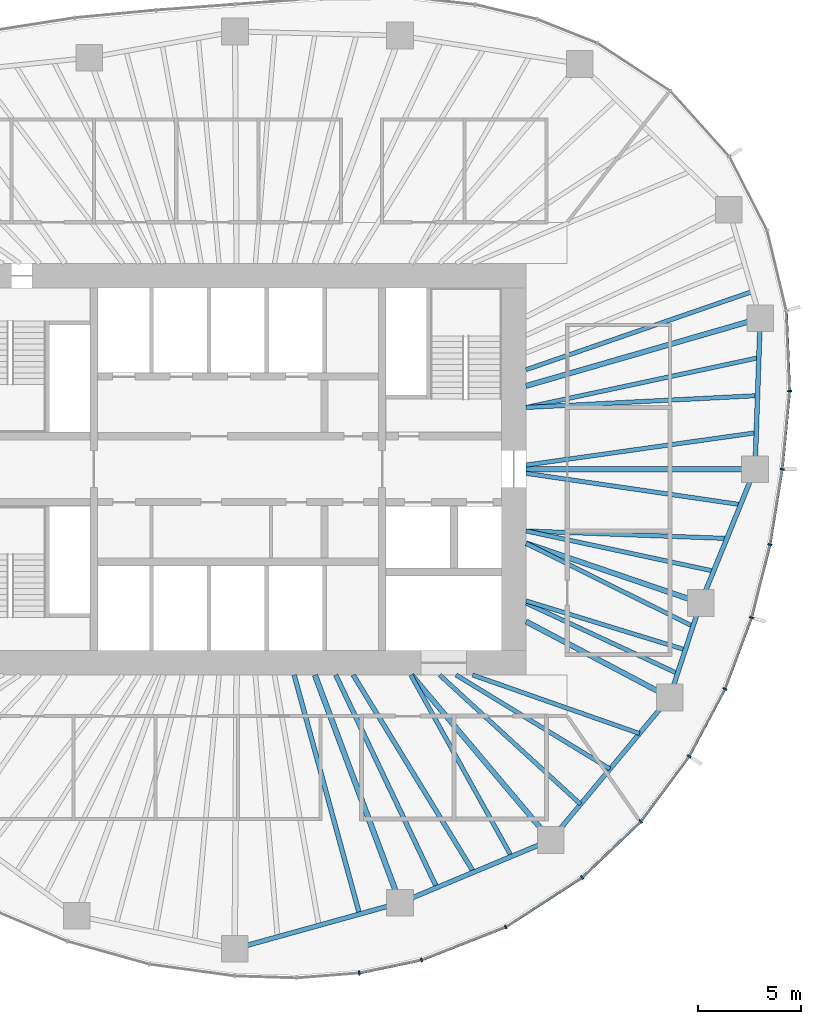
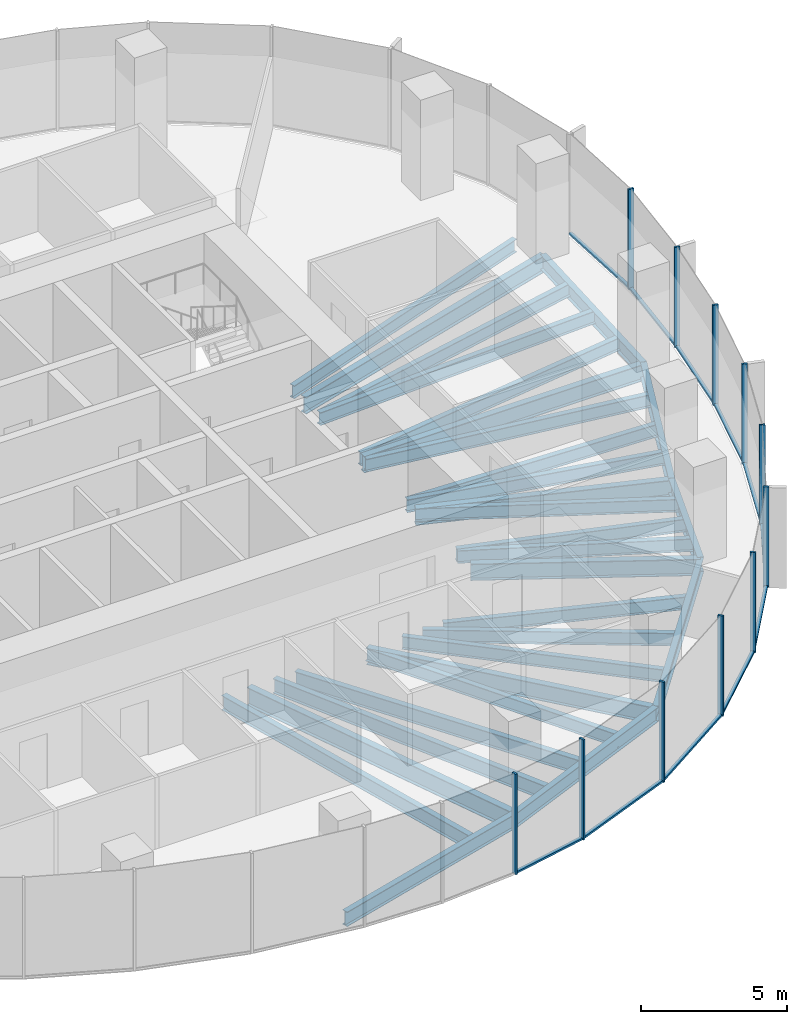
# One storey, part 4 of 12: 29 beams, 22 members, 6 elements without a shape of their own.
"""IFC4 building model written with IfcOpenShell, lengths in metres."""

from ifc_helpers import new_model, si_unit, direction, frame, origin, origin_2d, place, context, subcontext, project, spatial, rectangle, i_section, extrude, material, material_profile, profile_set, type_object, element, aggregate, save


model = new_model("IFC4")

# Units and contexts
model_context = context("Model", 3, precision=1e-05, world=origin(), true_north=direction((0.0, 1.0)))
body_context = subcontext(model_context, "Body", "Model", "MODEL_VIEW")
ifc_project = project(units=[si_unit("LENGTHUNIT", "METRE"), si_unit("AREAUNIT", "SQUARE_METRE"), si_unit("VOLUMEUNIT", "CUBIC_METRE"), si_unit("PLANEANGLEUNIT", "RADIAN"), si_unit("MASSUNIT", "GRAM", prefix="KILO")], contexts=[model_context])

# Site, building, storey
site_placement = place(None, origin())
site = spatial("IfcSite", under=ifc_project, at=site_placement, CompositionType="ELEMENT")
building_placement = place(site_placement, origin())
building = spatial("IfcBuilding", under=site, at=building_placement, Name="Ghaith Harvest Tower", CompositionType="ELEMENT")
storey_placement = place(building_placement, frame((0.0, 0.0, 203.199951171875)))
storey = spatial("IfcBuildingStorey", under=building, at=storey_placement, Name="L44", CompositionType="ELEMENT", Elevation=203.199951171875)

# Curtain wall, members
ifc_material_1 = material(Name="Black anodised aluminium and fritted glass", Category="aluminium")
curtain_wall_type = type_object("IfcCurtainWallType", Name="CW-H CURTAIN WALL", PredefinedType="NOTDEFINED", material=ifc_material_1)
curtain_wall_1_placement = place(storey_placement, origin())
curtain_wall_1 = element("IfcCurtainWall", 1, at=curtain_wall_1_placement, inside=storey, type_object=curtain_wall_type, Name="Curtain wall CW-H bay 01 L44", PredefinedType="NOTDEFINED")
ifc_material_2 = material(Name="Aluminium, black anodised", Category="aluminium")
ifc_material_profile_1 = material_profile(ifc_material_2, rectangle(XDim=0.080078125, YDim=0.199951171875, at=origin_2d()), Name="CW-H MULLION 80x200")
ifc_profile_set_1 = profile_set([ifc_material_profile_1], Name="Aluminium, black anodised")
member_type_1 = type_object("IfcMemberType", Name="CW-H MULLION 80x200", PredefinedType="MULLION", material=ifc_profile_set_1)
member_1_placement = place(storey_placement, frame((26.445068359375, 0.0, 0.0), z_axis=(0.0, 0.0, 1.0), x_axis=(0.126567624553, 0.991957981174, 0.0)))
member_1 = element("IfcMember", 2, at=member_1_placement, type_object=member_type_1, Name="CW-H mullion 1 bay 01 L44", PredefinedType="MULLION", context=body_context, shape_type="SweptSolid", body=[
    extrude(rectangle(XDim=0.080078125, YDim=0.199951171875, at=origin_2d()), origin(), (0.0, 0.0, 1.0), 4.199951171875),
])
member_2_placement = place(storey_placement, frame((26.804443359375, 3.7958984375, 0.0), z_axis=(0.0, 0.0, 1.0), x_axis=(0.026142797814, 0.999658218654, 0.0)))
member_2 = element("IfcMember", 3, at=member_2_placement, type_object=member_type_1, Name="CW-H mullion 2 bay 01 L44", PredefinedType="MULLION", context=body_context, shape_type="SweptSolid", body=[
    extrude(rectangle(XDim=0.080078125, YDim=0.199951171875, at=origin_2d()), origin(), (0.0, 0.0, 1.0), 4.199951171875),
])

# Curtain wall, member
curtain_wall_2_placement = place(storey_placement, origin())
curtain_wall_2 = element("IfcCurtainWall", 4, at=curtain_wall_2_placement, inside=storey, type_object=curtain_wall_type, Name="Curtain wall CW-H bay 16 L44", PredefinedType="NOTDEFINED")
member_3_placement = place(storey_placement, frame((5.893310546875, -24.48291015625, 0.0), z_axis=(0.0, 0.0, 1.0), x_axis=(0.989849191496, 0.142121701704, 0.0)))
member_3 = element("IfcMember", 5, at=member_3_placement, type_object=member_type_1, Name="CW-H mullion 3 bay 16 L44", PredefinedType="MULLION", context=body_context, shape_type="SweptSolid", body=[
    extrude(rectangle(XDim=0.080078125, YDim=0.199951171875, at=origin_2d()), origin(), (0.0, 0.0, 1.0), 4.199951171875),
])

# Curtain wall, members
curtain_wall_3_placement = place(storey_placement, origin())
curtain_wall_3 = element("IfcCurtainWall", 6, at=curtain_wall_3_placement, inside=storey, type_object=curtain_wall_type, Name="Curtain wall CW-H bay 17 L44", PredefinedType="NOTDEFINED")
member_4_placement = place(storey_placement, frame((8.916015625, -23.85009765625, 0.0), z_axis=(0.0, 0.0, 1.0), x_axis=(0.954029934434, 0.299711334793, 0.0)))
member_4 = element("IfcMember", 7, at=member_4_placement, type_object=member_type_1, Name="CW-H mullion 1 bay 17 L44", PredefinedType="MULLION", context=body_context, shape_type="SweptSolid", body=[
    extrude(rectangle(XDim=0.080078125, YDim=0.199951171875, at=origin_2d()), origin(), (0.0, 0.0, 1.0), 4.199951171875),
])
member_5_placement = place(storey_placement, frame((13.010009765625, -22.2470703125, 0.0), z_axis=(0.0, 0.0, 1.0), x_axis=(0.889568363425, 0.456802065225, 0.0)))
member_5 = element("IfcMember", 8, at=member_5_placement, type_object=member_type_1, Name="CW-H mullion 2 bay 17 L44", PredefinedType="MULLION", context=body_context, shape_type="SweptSolid", body=[
    extrude(rectangle(XDim=0.080078125, YDim=0.199951171875, at=origin_2d()), origin(), (0.0, 0.0, 1.0), 4.199951171875),
])

curtain_wall_4_placement = place(storey_placement, origin())
curtain_wall_4 = element("IfcCurtainWall", 9, at=curtain_wall_4_placement, inside=storey, type_object=curtain_wall_type, Name="Curtain wall CW-H bay 18 L44", PredefinedType="NOTDEFINED")
member_6_placement = place(storey_placement, frame((16.72900390625, -19.838134765625, 0.0), z_axis=(0.0, 0.0, 1.0), x_axis=(0.78784554071, 0.615872879727, 0.0)))
member_6 = element("IfcMember", 10, at=member_6_placement, type_object=member_type_1, Name="CW-H mullion 1 bay 18 L44", PredefinedType="MULLION", context=body_context, shape_type="SweptSolid", body=[
    extrude(rectangle(XDim=0.080078125, YDim=0.199951171875, at=origin_2d()), origin(), (0.0, 0.0, 1.0), 4.199951171875),
])
member_7_placement = place(storey_placement, frame((19.57421875, -17.11572265625, 0.0), z_axis=(0.0, 0.0, 1.0), x_axis=(0.661614965695, 0.749843741835, 0.0)))
member_7 = element("IfcMember", 11, at=member_7_placement, type_object=member_type_1, Name="CW-H mullion 2 bay 18 L44", PredefinedType="MULLION", context=body_context, shape_type="SweptSolid", body=[
    extrude(rectangle(XDim=0.080078125, YDim=0.199951171875, at=origin_2d()), origin(), (0.0, 0.0, 1.0), 4.199951171875),
])

curtain_wall_5_placement = place(storey_placement, origin())
curtain_wall_5 = element("IfcCurtainWall", 12, at=curtain_wall_5_placement, inside=storey, type_object=curtain_wall_type, Name="Curtain wall CW-H bay 19 L44", PredefinedType="NOTDEFINED")
member_8_placement = place(storey_placement, frame((21.922607421875, -13.951904296875, 0.0), z_axis=(0.0, 0.0, 1.0), x_axis=(0.535827198032, 0.844327669717, 0.0)))
member_8 = element("IfcMember", 13, at=member_8_placement, type_object=member_type_1, Name="CW-H mullion 1 bay 19 L44", PredefinedType="MULLION", context=body_context, shape_type="SweptSolid", body=[
    extrude(rectangle(XDim=0.080078125, YDim=0.199951171875, at=origin_2d()), origin(), (0.0, 0.0, 1.0), 4.199951171875),
])
member_9_placement = place(storey_placement, frame((23.658203125, -10.680419921875, 0.0), z_axis=(0.0, 0.0, 1.0), x_axis=(0.410429862351, 0.911892169114, 0.0)))
member_9 = element("IfcMember", 14, at=member_9_placement, type_object=member_type_1, Name="CW-H mullion 2 bay 19 L44", PredefinedType="MULLION", context=body_context, shape_type="SweptSolid", body=[
    extrude(rectangle(XDim=0.080078125, YDim=0.199951171875, at=origin_2d()), origin(), (0.0, 0.0, 1.0), 4.199951171875),
])

curtain_wall_6_placement = place(storey_placement, origin())
curtain_wall_6 = element("IfcCurtainWall", 15, at=curtain_wall_6_placement, inside=storey, type_object=curtain_wall_type, Name="Curtain wall CW-H bay 20 L44", PredefinedType="NOTDEFINED")
member_10_placement = place(storey_placement, frame((24.955810546875, -7.212890625, 0.0), z_axis=(0.0, 0.0, 1.0), x_axis=(0.298441625478, 0.954427889462, 0.0)))
member_10 = element("IfcMember", 16, at=member_10_placement, type_object=member_type_1, Name="CW-H mullion 1 bay 20 L44", PredefinedType="MULLION", context=body_context, shape_type="SweptSolid", body=[
    extrude(rectangle(XDim=0.080078125, YDim=0.199951171875, at=origin_2d()), origin(), (0.0, 0.0, 1.0), 4.199951171875),
])
member_11_placement = place(storey_placement, frame((25.85302734375, -3.6611328125, 0.0), z_axis=(0.0, 0.0, 1.0), x_axis=(0.202192370647, 0.979345825157, 0.0)))
member_11 = element("IfcMember", 17, at=member_11_placement, type_object=member_type_1, Name="CW-H mullion 2 bay 20 L44", PredefinedType="MULLION", context=body_context, shape_type="SweptSolid", body=[
    extrude(rectangle(XDim=0.080078125, YDim=0.199951171875, at=origin_2d()), origin(), (0.0, 0.0, 1.0), 4.199951171875),
])

# Member
ifc_material_3 = material(Name="Aluminium, black anodised", Category="aluminium")
ifc_material_profile_2 = material_profile(ifc_material_3, rectangle(XDim=0.1298828125, YDim=0.080078125, at=origin_2d()), Name="CW-H TRANSOM 130x80")
ifc_profile_set_2 = profile_set([ifc_material_profile_2], Name="Aluminium, black anodised")
member_type_2 = type_object("IfcMemberType", Name="CW-H TRANSOM 130x80", PredefinedType="USERDEFINED", material=ifc_profile_set_2)
member_12_placement = place(storey_placement, frame((26.44873046875, 0.039794921875, 0.0400390625), z_axis=(0.094309089207, 0.995542965267, 0.0), x_axis=(-0.995542965267, 0.094309089207, 0.0)))
member_12 = element("IfcMember", 18, at=member_12_placement, type_object=member_type_2, Name="CW-H transom 1 bay 01 L44", ObjectType="TRANSOM", PredefinedType="USERDEFINED", context=body_context, shape_type="SweptSolid", body=[
    extrude(rectangle(XDim=0.1298828125, YDim=0.080078125, at=origin_2d()), origin(), (0.0, 0.0, 1.0), 3.73291015625),
])

member_13_placement = place(storey_placement, frame((26.802978515625, 3.8359375, 0.0400390625), z_axis=(-0.040492641284, 0.999179836667, 0.0), x_axis=(-0.999179836667, -0.040492641284, 0.0)))
member_13 = element("IfcMember", 19, at=member_13_placement, type_object=member_type_2, Name="CW-H transom 2 bay 01 L44", ObjectType="TRANSOM", PredefinedType="USERDEFINED", context=body_context, shape_type="SweptSolid", body=[
    extrude(rectangle(XDim=0.1298828125, YDim=0.080078125, at=origin_2d()), origin(), (0.0, 0.0, 1.0), 3.82861328125),
])

aggregate(curtain_wall_1, [member_1, member_12, member_2, member_13])

member_14_placement = place(storey_placement, frame((5.932373046875, -24.474609375, 0.0400390625), z_axis=(0.978797058213, 0.204832416461, 0.0), x_axis=(-0.204832416461, 0.978797058213, 0.0)))
member_14 = element("IfcMember", 20, at=member_14_placement, type_object=member_type_2, Name="CW-H transom 3 bay 16 L44", ObjectType="TRANSOM", PredefinedType="USERDEFINED", context=body_context, shape_type="SweptSolid", body=[
    extrude(rectangle(XDim=0.1298828125, YDim=0.080078125, at=origin_2d()), origin(), (0.0, 0.0, 1.0), 3.00830078125),
])

aggregate(curtain_wall_2, [member_3, member_14])

member_15_placement = place(storey_placement, frame((8.953369140625, -23.835693359375, 0.0400390625), z_axis=(0.931147615871, 0.364642451529, 0.0), x_axis=(-0.364642451529, 0.931147615871, 0.0)))
member_15 = element("IfcMember", 21, at=member_15_placement, type_object=member_type_2, Name="CW-H transom 1 bay 17 L44", ObjectType="TRANSOM", PredefinedType="USERDEFINED", context=body_context, shape_type="SweptSolid", body=[
    extrude(rectangle(XDim=0.1298828125, YDim=0.080078125, at=origin_2d()), origin(), (0.0, 0.0, 1.0), 4.31640625),
])

member_16_placement = place(storey_placement, frame((13.04345703125, -22.225341796875, 0.0400390625), z_axis=(0.839306610985, 0.543658360331, 0.0), x_axis=(-0.543658360331, 0.839306610985, 0.0)))
member_16 = element("IfcMember", 22, at=member_16_placement, type_object=member_type_2, Name="CW-H transom 2 bay 17 L44", ObjectType="TRANSOM", PredefinedType="USERDEFINED", context=body_context, shape_type="SweptSolid", body=[
    extrude(rectangle(XDim=0.1298828125, YDim=0.080078125, at=origin_2d()), origin(), (0.0, 0.0, 1.0), 4.35107421875),
])

aggregate(curtain_wall_3, [member_4, member_15, member_5, member_16])

member_17_placement = place(storey_placement, frame((16.7578125, -19.810546875, 0.0400390625), z_axis=(0.722533278657, 0.691336141998, 0.0), x_axis=(-0.691336141998, 0.722533278657, 0.0)))
member_17 = element("IfcMember", 23, at=member_17_placement, type_object=member_type_2, Name="CW-H transom 1 bay 18 L44", ObjectType="TRANSOM", PredefinedType="USERDEFINED", context=body_context, shape_type="SweptSolid", body=[
    extrude(rectangle(XDim=0.1298828125, YDim=0.080078125, at=origin_2d()), origin(), (0.0, 0.0, 1.0), 3.858154296875),
])

member_18_placement = place(storey_placement, frame((19.59814453125, -17.083740234375, 0.0400390625), z_axis=(0.595995597074, 0.802987701194, 0.0), x_axis=(-0.802987701194, 0.595995597074, 0.0)))
member_18 = element("IfcMember", 24, at=member_18_placement, type_object=member_type_2, Name="CW-H transom 2 bay 18 L44", ObjectType="TRANSOM", PredefinedType="USERDEFINED", context=body_context, shape_type="SweptSolid", body=[
    extrude(rectangle(XDim=0.1298828125, YDim=0.080078125, at=origin_2d()), origin(), (0.0, 0.0, 1.0), 3.8603515625),
])

aggregate(curtain_wall_4, [member_6, member_17, member_7, member_18])

member_19_placement = place(storey_placement, frame((21.94140625, -13.91650390625, 0.0400390625), z_axis=(0.468646057757, 0.883386026915, 0.0), x_axis=(-0.883386026915, 0.468646057757, 0.0)))
member_19 = element("IfcMember", 25, at=member_19_placement, type_object=member_type_2, Name="CW-H transom 1 bay 19 L44", ObjectType="TRANSOM", PredefinedType="USERDEFINED", context=body_context, shape_type="SweptSolid", body=[
    extrude(rectangle(XDim=0.1298828125, YDim=0.080078125, at=origin_2d()), origin(), (0.0, 0.0, 1.0), 3.623291015625),
])

member_20_placement = place(storey_placement, frame((23.672119140625, -10.64306640625, 0.0400390625), z_axis=(0.350510368091, 0.936558851253, 0.0), x_axis=(-0.936558851253, 0.350510368091, 0.0)))
member_20 = element("IfcMember", 26, at=member_20_placement, type_object=member_type_2, Name="CW-H transom 2 bay 19 L44", ObjectType="TRANSOM", PredefinedType="USERDEFINED", context=body_context, shape_type="SweptSolid", body=[
    extrude(rectangle(XDim=0.1298828125, YDim=0.080078125, at=origin_2d()), origin(), (0.0, 0.0, 1.0), 3.62255859375),
])

aggregate(curtain_wall_5, [member_8, member_19, member_9, member_20])

member_21_placement = place(storey_placement, frame((24.965576171875, -7.174072265625, 0.0400390625), z_axis=(0.244939588347, 0.969538342749, 0.0), x_axis=(-0.969538342749, 0.244939588347, 0.0)))
member_21 = element("IfcMember", 27, at=member_21_placement, type_object=member_type_2, Name="CW-H transom 1 bay 20 L44", ObjectType="TRANSOM", PredefinedType="USERDEFINED", context=body_context, shape_type="SweptSolid", body=[
    extrude(rectangle(XDim=0.1298828125, YDim=0.080078125, at=origin_2d()), origin(), (0.0, 0.0, 1.0), 3.583251953125),
])

member_22_placement = place(storey_placement, frame((25.859375, -3.62158203125, 0.0400390625), z_axis=(0.159661845696, 0.987171765717, 0.0), x_axis=(-0.987171765717, 0.159661845696, 0.0)))
member_22 = element("IfcMember", 28, at=member_22_placement, type_object=member_type_2, Name="CW-H transom 2 bay 20 L44", ObjectType="TRANSOM", PredefinedType="USERDEFINED", context=body_context, shape_type="SweptSolid", body=[
    extrude(rectangle(XDim=0.1298828125, YDim=0.080078125, at=origin_2d()), origin(), (0.0, 0.0, 1.0), 3.628662109375),
])

aggregate(curtain_wall_6, [member_10, member_21, member_11, member_22])

# Beams
ifc_material_4 = material(Name="Steel ASTM A992 Grade 50", Category="steel")
ifc_material_profile_3 = material_profile(ifc_material_4, i_section(OverallWidth=0.22900390625, OverallDepth=0.612060546875, WebThickness=0.011962890625, FlangeThickness=0.01953125, at=origin_2d()), Name="W610X125")
ifc_profile_set_3 = profile_set([ifc_material_profile_3], Name="Steel ASTM A992 Grade 50")
beam_type_1 = type_object("IfcBeamType", Name="E610-125 W610X125", PredefinedType="SPANDREL", material=ifc_profile_set_3)
beam_1_placement = place(storey_placement, frame((25.125, 0.0, -0.475830078125), z_axis=(0.03446227584, 0.999405999354, 0.0), x_axis=(-0.999405999354, 0.03446227584, 0.0)))
element("IfcBeam", 29, at=beam_1_placement, inside=storey, type_object=beam_type_1, Name="Edge beam E01 L44", PredefinedType="SPANDREL", context=body_context, shape_type="SweptSolid", body=[
    extrude(i_section(OverallWidth=0.22900390625, OverallDepth=0.612060546875, WebThickness=0.011962890625, FlangeThickness=0.01953125, at=origin_2d()), origin(), (0.0, 0.0, 1.0), 7.33935546875),
])
beam_2_placement = place(storey_placement, frame((-0.158935546875, -23.304931640625, -0.475830078125), z_axis=(0.963504070594, 0.267693679323, 0.0), x_axis=(-0.267693679323, 0.963504070594, 0.0)))
element("IfcBeam", 30, at=beam_2_placement, inside=storey, type_object=beam_type_1, Name="Edge beam E16 L44", PredefinedType="SPANDREL", context=body_context, shape_type="SweptSolid", body=[
    extrude(i_section(OverallWidth=0.22900390625, OverallDepth=0.612060546875, WebThickness=0.011962890625, FlangeThickness=0.01953125, at=origin_2d()), origin(), (0.0, 0.0, 1.0), 8.34130859375),
])
beam_3_placement = place(storey_placement, frame((7.8779296875, -21.072021484375, -0.475830078125), z_axis=(0.923119729219, 0.384512633766, 0.0), x_axis=(-0.384512633766, 0.923119729219, 0.0)))
element("IfcBeam", 31, at=beam_3_placement, inside=storey, type_object=beam_type_1, Name="Edge beam E17 L44", PredefinedType="SPANDREL", context=body_context, shape_type="SweptSolid", body=[
    extrude(i_section(OverallWidth=0.22900390625, OverallDepth=0.612060546875, WebThickness=0.011962890625, FlangeThickness=0.01953125, at=origin_2d()), origin(), (0.0, 0.0, 1.0), 7.9296875),
])
beam_4_placement = place(storey_placement, frame((15.197998046875, -18.02294921875, -0.475830078125), z_axis=(0.640173759088, 0.76823014662, 0.0), x_axis=(-0.76823014662, 0.640173759088, 0.0)))
element("IfcBeam", 32, at=beam_4_placement, inside=storey, type_object=beam_type_1, Name="Edge beam E18 L44", PredefinedType="SPANDREL", context=body_context, shape_type="SweptSolid", body=[
    extrude(i_section(OverallWidth=0.22900390625, OverallDepth=0.612060546875, WebThickness=0.011962890625, FlangeThickness=0.01953125, at=origin_2d()), origin(), (0.0, 0.0, 1.0), 9.02734375),
])
beam_5_placement = place(storey_placement, frame((20.97705078125, -11.087890625, -0.475830078125), z_axis=(0.312206727278, 0.950014189074, 0.0), x_axis=(-0.950014189074, 0.312206727278, 0.0)))
element("IfcBeam", 33, at=beam_5_placement, inside=storey, type_object=beam_type_1, Name="Edge beam E19 L44", PredefinedType="SPANDREL", context=body_context, shape_type="SweptSolid", body=[
    extrude(i_section(OverallWidth=0.22900390625, OverallDepth=0.612060546875, WebThickness=0.011962890625, FlangeThickness=0.01953125, at=origin_2d()), origin(), (0.0, 0.0, 1.0), 4.830322265625),
])
beam_6_placement = place(storey_placement, frame((22.485107421875, -6.4990234375, -0.475830078125), z_axis=(0.376335970246, 0.926483263475, 0.0), x_axis=(-0.926483263475, 0.376335970246, 0.0)))
element("IfcBeam", 34, at=beam_6_placement, inside=storey, type_object=beam_type_1, Name="Edge beam E20 L44", PredefinedType="SPANDREL", context=body_context, shape_type="SweptSolid", body=[
    extrude(i_section(OverallWidth=0.22900390625, OverallDepth=0.612060546875, WebThickness=0.011962890625, FlangeThickness=0.01953125, at=origin_2d()), origin(), (0.0, 0.0, 1.0), 7.0146484375),
])
ifc_material_5 = material(Name="Steel ASTM A992 Grade 50", Category="steel")
ifc_material_profile_4 = material_profile(ifc_material_5, i_section(OverallWidth=0.256103515625, OverallDepth=0.693115234375, WebThickness=0.014404296875, FlangeThickness=0.023681640625, at=origin_2d()), Name="W690X170")
ifc_profile_set_4 = profile_set([ifc_material_profile_4], Name="Steel ASTM A992 Grade 50")
beam_type_2 = type_object("IfcBeamType", Name="G690-170 W690X170", PredefinedType="BEAM", material=ifc_profile_set_4)
beam_7_placement = place(storey_placement, frame((14.0, 0.0, -0.516357421875), z_axis=(1.0, 0.0, 0.0), x_axis=(0.0, 1.0, 0.0)))
element("IfcBeam", 35, at=beam_7_placement, inside=storey, type_object=beam_type_2, Name="Radial girder G01 L44", PredefinedType="BEAM", context=body_context, shape_type="SweptSolid", body=[
    extrude(i_section(OverallWidth=0.256103515625, OverallDepth=0.693115234375, WebThickness=0.014404296875, FlangeThickness=0.023681640625, at=origin_2d()), origin(), (0.0, 0.0, 1.0), 11.125),
])
beam_8_placement = place(storey_placement, frame((14.0, 4.04638671875, -0.516357421875), z_axis=(0.960677776578, 0.277665643518, 0.0), x_axis=(-0.277665643518, 0.960677776578, 0.0)))
element("IfcBeam", 36, at=beam_8_placement, inside=storey, type_object=beam_type_2, Name="Radial girder G02 L44", PredefinedType="BEAM", context=body_context, shape_type="SweptSolid", body=[
    extrude(i_section(OverallWidth=0.256103515625, OverallDepth=0.693115234375, WebThickness=0.014404296875, FlangeThickness=0.023681640625, at=origin_2d()), origin(), (0.0, 0.0, 1.0), 11.84375),
])
beam_9_placement = place(storey_placement, frame((8.4326171875, -10.0, -0.516357421875), z_axis=(0.644649240595, -0.764478486682, 0.0), x_axis=(0.764478486682, 0.644649240595, 0.0)))
element("IfcBeam", 37, at=beam_9_placement, inside=storey, type_object=beam_type_2, Name="Radial girder G18 L44", PredefinedType="BEAM", context=body_context, shape_type="SweptSolid", body=[
    extrude(i_section(OverallWidth=0.256103515625, OverallDepth=0.693115234375, WebThickness=0.014404296875, FlangeThickness=0.023681640625, at=origin_2d()), origin(), (0.0, 0.0, 1.0), 10.49462890625),
])
beam_10_placement = place(storey_placement, frame((14.0, -7.39990234375, -0.516357421875), z_axis=(0.884088732293, -0.467319070264, 0.0), x_axis=(0.467319070264, 0.884088732293, 0.0)))
element("IfcBeam", 38, at=beam_10_placement, inside=storey, type_object=beam_type_2, Name="Radial girder G19 L44", PredefinedType="BEAM", context=body_context, shape_type="SweptSolid", body=[
    extrude(i_section(OverallWidth=0.256103515625, OverallDepth=0.693115234375, WebThickness=0.014404296875, FlangeThickness=0.023681640625, at=origin_2d()), origin(), (0.0, 0.0, 1.0), 7.891845703125),
])
beam_11_placement = place(storey_placement, frame((14.0, -3.60009765625, -0.516357421875), z_axis=(0.94629622913, -0.323300861018, 0.0), x_axis=(0.323300861018, 0.94629622913, 0.0)))
element("IfcBeam", 39, at=beam_11_placement, inside=storey, type_object=beam_type_2, Name="Radial girder G20 L44", PredefinedType="BEAM", context=body_context, shape_type="SweptSolid", body=[
    extrude(i_section(OverallWidth=0.256103515625, OverallDepth=0.693115234375, WebThickness=0.014404296875, FlangeThickness=0.023681640625, at=origin_2d()), origin(), (0.0, 0.0, 1.0), 8.966552734375),
])
ifc_material_6 = material(Name="Steel ASTM A992 Grade 50", Category="steel")
ifc_material_profile_5 = material_profile(ifc_material_6, i_section(OverallWidth=0.26806640625, OverallDepth=0.77001953125, WebThickness=0.015625, FlangeThickness=0.025390625, at=origin_2d()), Name="W760X196")
ifc_profile_set_5 = profile_set([ifc_material_profile_5], Name="Steel ASTM A992 Grade 50")
beam_type_3 = type_object("IfcBeamType", Name="G760-196 W760X196", PredefinedType="BEAM", material=ifc_profile_set_5)
beam_12_placement = place(storey_placement, frame((3.73828125, -10.0, -0.554931640625), z_axis=(0.350206582147, -0.936672488024, 0.0), x_axis=(0.936672488024, 0.350206582147, 0.0)))
element("IfcBeam", 40, at=beam_12_placement, inside=storey, type_object=beam_type_3, Name="Radial girder G17 L44", PredefinedType="BEAM", context=body_context, shape_type="SweptSolid", body=[
    extrude(i_section(OverallWidth=0.26806640625, OverallDepth=0.77001953125, WebThickness=0.015625, FlangeThickness=0.025390625, at=origin_2d()), origin(), (0.0, 0.0, 1.0), 11.820556640625),
])
ifc_material_7 = material(Name="Steel ASTM A992 Grade 50", Category="steel")
ifc_material_profile_6 = material_profile(ifc_material_7, i_section(OverallWidth=0.2109375, OverallDepth=0.5390625, WebThickness=0.01171875, FlangeThickness=0.018798828125, at=origin_2d()), Name="W530X109")
ifc_profile_set_6 = profile_set([ifc_material_profile_6], Name="Steel ASTM A992 Grade 50")
beam_type_4 = type_object("IfcBeamType", Name="J530-109 W530X109", PredefinedType="JOIST", material=ifc_profile_set_6)
beam_13_placement = place(storey_placement, frame((14.0, 0.199951171875, -0.439453125), z_axis=(0.990239574724, 0.139375696052, 0.0), x_axis=(-0.139375696052, 0.990239574724, 0.0)))
element("IfcBeam", 41, at=beam_13_placement, inside=storey, type_object=beam_type_4, Name="Joist J01.1 L44", PredefinedType="JOIST", context=body_context, shape_type="SweptSolid", body=[
    extrude(i_section(OverallWidth=0.2109375, OverallDepth=0.5390625, WebThickness=0.01171875, FlangeThickness=0.018798828125, at=origin_2d()), origin(), (0.0, 0.0, 1.0), 11.296630859375),
])
beam_14_placement = place(storey_placement, frame((14.0, 3.0, -0.439453125), z_axis=(0.998693995267, 0.051091132482, 0.0), x_axis=(-0.051091132482, 0.998693995267, 0.0)))
element("IfcBeam", 42, at=beam_14_placement, inside=storey, type_object=beam_type_4, Name="Joist J01.2 L44", PredefinedType="JOIST", context=body_context, shape_type="SweptSolid", body=[
    extrude(i_section(OverallWidth=0.2109375, OverallDepth=0.5390625, WebThickness=0.01171875, FlangeThickness=0.018798828125, at=origin_2d()), origin(), (0.0, 0.0, 1.0), 11.262939453125),
])
beam_15_placement = place(storey_placement, frame((14.0, 3.0, -0.439453125), z_axis=(0.977840076912, 0.209353251672, 0.0), x_axis=(-0.209353251672, 0.977840076912, 0.0)))
element("IfcBeam", 43, at=beam_15_placement, inside=storey, type_object=beam_type_4, Name="Joist J01.3 L44", PredefinedType="JOIST", context=body_context, shape_type="SweptSolid", body=[
    extrude(i_section(OverallWidth=0.2109375, OverallDepth=0.5390625, WebThickness=0.01171875, FlangeThickness=0.018798828125, at=origin_2d()), origin(), (0.0, 0.0, 1.0), 11.568359375),
])
beam_16_placement = place(storey_placement, frame((14.0, 4.835693359375, -0.439453125), z_axis=(0.945202328042, 0.326485159025, 0.0), x_axis=(-0.326485159025, 0.945202328042, 0.0)))
element("IfcBeam", 44, at=beam_16_placement, inside=storey, type_object=beam_type_4, Name="Joist J02.1 L44", PredefinedType="JOIST", context=body_context, shape_type="SweptSolid", body=[
    extrude(i_section(OverallWidth=0.2109375, OverallDepth=0.5390625, WebThickness=0.01171875, FlangeThickness=0.018798828125, at=origin_2d()), origin(), (0.0, 0.0, 1.0), 11.63916015625),
])
beam_17_placement = place(storey_placement, frame((8.39990234375, -10.0, -0.439453125), z_axis=(0.484919107871, -0.874559008199, 0.0), x_axis=(0.874559008199, 0.484919107871, 0.0)))
element("IfcBeam", 45, at=beam_17_placement, inside=storey, type_object=beam_type_4, Name="Joist J17.3 L44", PredefinedType="JOIST", context=body_context, shape_type="SweptSolid", body=[
    extrude(i_section(OverallWidth=0.2109375, OverallDepth=0.5390625, WebThickness=0.01171875, FlangeThickness=0.018798828125, at=origin_2d()), origin(), (0.0, 0.0, 1.0), 10.0830078125),
])
beam_18_placement = place(storey_placement, frame((9.800048828125, -10.0, -0.439453125), z_axis=(0.736998187228, -0.675894719629, 0.0), x_axis=(0.675894719629, 0.736998187228, 0.0)))
element("IfcBeam", 46, at=beam_18_placement, inside=storey, type_object=beam_type_4, Name="Joist J18.1 L44", PredefinedType="JOIST", context=body_context, shape_type="SweptSolid", body=[
    extrude(i_section(OverallWidth=0.2109375, OverallDepth=0.5390625, WebThickness=0.01171875, FlangeThickness=0.018798828125, at=origin_2d()), origin(), (0.0, 0.0, 1.0), 9.293701171875),
])
beam_19_placement = place(storey_placement, frame((14.0, -3.0, -0.439453125), z_axis=(0.977841497168, -0.209346617877, 0.0), x_axis=(0.209346617877, 0.977841497168, 0.0)))
element("IfcBeam", 47, at=beam_19_placement, inside=storey, type_object=beam_type_4, Name="Joist J20.1 L44", PredefinedType="JOIST", context=body_context, shape_type="SweptSolid", body=[
    extrude(i_section(OverallWidth=0.2109375, OverallDepth=0.5390625, WebThickness=0.01171875, FlangeThickness=0.018798828125, at=origin_2d()), origin(), (0.0, 0.0, 1.0), 9.3203125),
])
beam_20_placement = place(storey_placement, frame((14.0, -3.0, -0.439453125), z_axis=(0.999303105315, -0.037326983644, 0.0), x_axis=(0.037326983644, 0.999303105315, 0.0)))
element("IfcBeam", 48, at=beam_20_placement, inside=storey, type_object=beam_type_4, Name="Joist J20.2 L44", PredefinedType="JOIST", context=body_context, shape_type="SweptSolid", body=[
    extrude(i_section(OverallWidth=0.2109375, OverallDepth=0.5390625, WebThickness=0.01171875, FlangeThickness=0.018798828125, at=origin_2d()), origin(), (0.0, 0.0, 1.0), 9.76513671875),
])
beam_21_placement = place(storey_placement, frame((14.0, -0.199951171875, -0.439453125), z_axis=(0.989525259022, -0.144359834294, 0.0), x_axis=(0.144359834294, 0.989525259022, 0.0)))
element("IfcBeam", 49, at=beam_21_placement, inside=storey, type_object=beam_type_4, Name="Joist J20.3 L44", PredefinedType="JOIST", context=body_context, shape_type="SweptSolid", body=[
    extrude(i_section(OverallWidth=0.2109375, OverallDepth=0.5390625, WebThickness=0.01171875, FlangeThickness=0.018798828125, at=origin_2d()), origin(), (0.0, 0.0, 1.0), 10.5361328125),
])
ifc_material_8 = material(Name="Steel ASTM A992 Grade 50", Category="steel")
ifc_material_profile_7 = material_profile(ifc_material_8, i_section(OverallWidth=0.208984375, OverallDepth=0.532958984375, WebThickness=0.01025390625, FlangeThickness=0.015625, at=origin_2d()), Name="W530X92")
ifc_profile_set_7 = profile_set([ifc_material_profile_7], Name="Steel ASTM A992 Grade 50")
beam_type_5 = type_object("IfcBeamType", Name="J530-92 W530X92", PredefinedType="JOIST", material=ifc_profile_set_7)
beam_22_placement = place(storey_placement, frame((10.60009765625, -10.0, -0.4365234375), z_axis=(0.853467052113, -0.521146803654, 0.0), x_axis=(0.521146803654, 0.853467052113, 0.0)))
element("IfcBeam", 50, at=beam_22_placement, inside=storey, type_object=beam_type_5, Name="Joist J18.2 L44", PredefinedType="JOIST", context=body_context, shape_type="SweptSolid", body=[
    extrude(i_section(OverallWidth=0.208984375, OverallDepth=0.532958984375, WebThickness=0.01025390625, FlangeThickness=0.015625, at=origin_2d()), origin(), (0.0, 0.0, 1.0), 8.76220703125),
])
beam_23_placement = place(storey_placement, frame((11.39990234375, -10.0, -0.4365234375), z_axis=(0.943605274188, -0.331072630285, 0.0), x_axis=(0.331072630285, 0.943605274188, 0.0)))
element("IfcBeam", 51, at=beam_23_placement, inside=storey, type_object=beam_type_5, Name="Joist J18.3 L44", PredefinedType="JOIST", context=body_context, shape_type="SweptSolid", body=[
    extrude(i_section(OverallWidth=0.208984375, OverallDepth=0.532958984375, WebThickness=0.01025390625, FlangeThickness=0.015625, at=origin_2d()), origin(), (0.0, 0.0, 1.0), 8.596923828125),
])
beam_24_placement = place(storey_placement, frame((14.0, -6.506103515625, -0.4365234375), z_axis=(0.906865270415, -0.421420670251, 0.0), x_axis=(0.421420670251, 0.906865270415, 0.0)))
element("IfcBeam", 52, at=beam_24_placement, inside=storey, type_object=beam_type_5, Name="Joist J19.1 L44", PredefinedType="JOIST", context=body_context, shape_type="SweptSolid", body=[
    extrude(i_section(OverallWidth=0.208984375, OverallDepth=0.532958984375, WebThickness=0.01025390625, FlangeThickness=0.015625, at=origin_2d()), origin(), (0.0, 0.0, 1.0), 8.11474609375),
])
beam_25_placement = place(storey_placement, frame((14.0, -6.39990234375, -0.4365234375), z_axis=(0.955870927609, -0.293786946192, 0.0), x_axis=(0.293786946192, 0.955870927609, 0.0)))
element("IfcBeam", 53, at=beam_25_placement, inside=storey, type_object=beam_type_5, Name="Joist J19.2 L44", PredefinedType="JOIST", context=body_context, shape_type="SweptSolid", body=[
    extrude(i_section(OverallWidth=0.208984375, OverallDepth=0.532958984375, WebThickness=0.01025390625, FlangeThickness=0.015625, at=origin_2d()), origin(), (0.0, 0.0, 1.0), 8.09326171875),
])
beam_26_placement = place(storey_placement, frame((14.0, -3.60009765625, -0.4365234375), z_axis=(0.89523949078, -0.445585293909, 0.0), x_axis=(0.445585293909, 0.89523949078, 0.0)))
element("IfcBeam", 54, at=beam_26_placement, inside=storey, type_object=beam_type_5, Name="Joist J19.3 L44", PredefinedType="JOIST", context=body_context, shape_type="SweptSolid", body=[
    extrude(i_section(OverallWidth=0.208984375, OverallDepth=0.532958984375, WebThickness=0.01025390625, FlangeThickness=0.015625, at=origin_2d()), origin(), (0.0, 0.0, 1.0), 9.060302734375),
])
ifc_material_9 = material(Name="Steel ASTM A992 Grade 50", Category="steel")
ifc_material_profile_8 = material_profile(ifc_material_9, i_section(OverallWidth=0.22900390625, OverallDepth=0.612060546875, WebThickness=0.011962890625, FlangeThickness=0.01953125, at=origin_2d()), Name="W610X125")
ifc_profile_set_8 = profile_set([ifc_material_profile_8], Name="Steel ASTM A992 Grade 50")
beam_type_6 = type_object("IfcBeamType", Name="J610-125 W610X125", PredefinedType="JOIST", material=ifc_profile_set_8)
beam_27_placement = place(storey_placement, frame((2.73095703125, -10.0, -0.475830078125), z_axis=(0.263456947705, -0.964671154698, 0.0), x_axis=(0.964671154698, 0.263456947705, 0.0)))
element("IfcBeam", 55, at=beam_27_placement, inside=storey, type_object=beam_type_6, Name="Joist J16.3 L44", PredefinedType="JOIST", context=body_context, shape_type="SweptSolid", body=[
    extrude(i_section(OverallWidth=0.22900390625, OverallDepth=0.612060546875, WebThickness=0.011962890625, FlangeThickness=0.01953125, at=origin_2d()), origin(), (0.0, 0.0, 1.0), 12.0458984375),
])
beam_28_placement = place(storey_placement, frame((4.75, -10.0, -0.475830078125), z_axis=(0.429080762264, -0.90326612881, 0.0), x_axis=(0.90326612881, 0.429080762264, 0.0)))
element("IfcBeam", 56, at=beam_28_placement, inside=storey, type_object=beam_type_6, Name="Joist J17.1 L44", PredefinedType="JOIST", context=body_context, shape_type="SweptSolid", body=[
    extrude(i_section(OverallWidth=0.22900390625, OverallDepth=0.612060546875, WebThickness=0.011962890625, FlangeThickness=0.01953125, at=origin_2d()), origin(), (0.0, 0.0, 1.0), 11.437255859375),
])
beam_29_placement = place(storey_placement, frame((5.60009765625, -10.0, -0.475830078125), z_axis=(0.521165912119, -0.853455383746, 0.0), x_axis=(0.853455383746, 0.521165912119, 0.0)))
element("IfcBeam", 57, at=beam_29_placement, inside=storey, type_object=beam_type_6, Name="Joist J17.2 L44", PredefinedType="JOIST", context=body_context, shape_type="SweptSolid", body=[
    extrude(i_section(OverallWidth=0.22900390625, OverallDepth=0.612060546875, WebThickness=0.011962890625, FlangeThickness=0.01953125, at=origin_2d()), origin(), (0.0, 0.0, 1.0), 11.228759765625),
])

save(model, "model.ifc")
